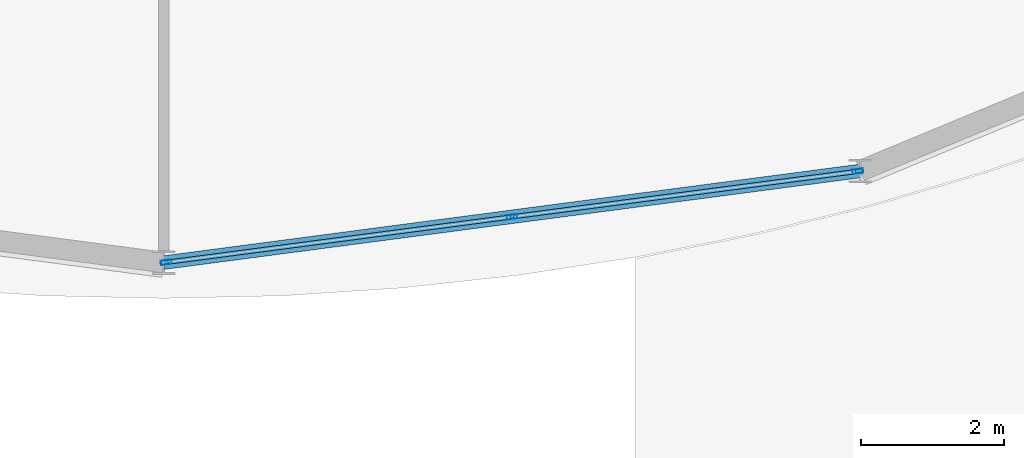
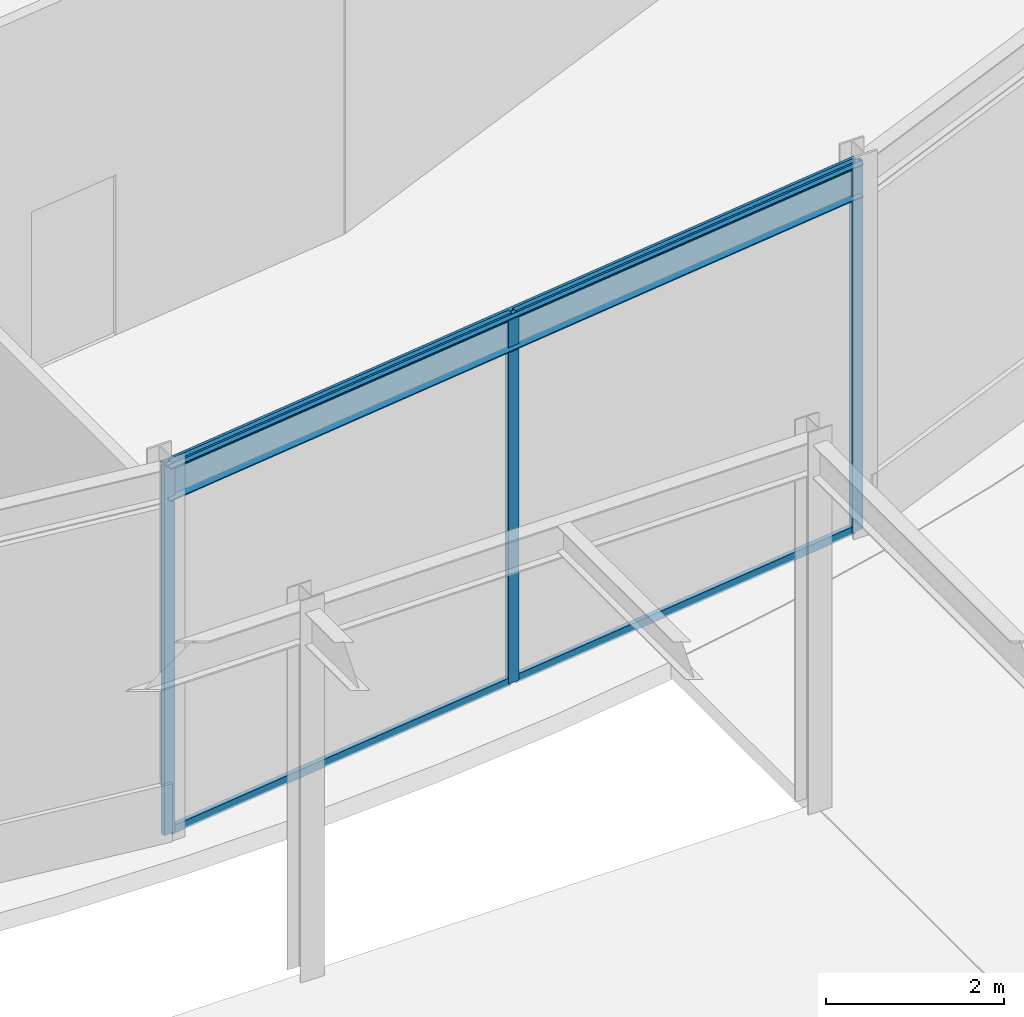
# One storey, part 43 of 168: 7 members, 1 beam, 1 element without a shape of its own.
"""IFC4 building model written with IfcOpenShell, lengths in metres."""

from ifc_helpers import new_model, si_unit, direction, frame, origin, origin_2d, place, context, subcontext, project, spatial, hollow_rectangle, i_section, extrude, material, material_profile, profile_set, type_object, element, aggregate, save


model = new_model("IFC4")

# Units and contexts
model_context = context("Model", 3, precision=1e-05, world=origin(), true_north=direction((0.0, 1.0)))
body_context = subcontext(model_context, "Body", "Model", "MODEL_VIEW")
ifc_project = project(units=[si_unit("LENGTHUNIT", "METRE"), si_unit("AREAUNIT", "SQUARE_METRE"), si_unit("VOLUMEUNIT", "CUBIC_METRE"), si_unit("PLANEANGLEUNIT", "RADIAN"), si_unit("MASSUNIT", "GRAM", prefix="KILO")], contexts=[model_context])

# Site, building, storey
site_placement = place(None, origin())
site = spatial("IfcSite", under=ifc_project, at=site_placement, CompositionType="ELEMENT")
building_placement = place(site_placement, origin())
building = spatial("IfcBuilding", under=site, at=building_placement, Name="Almandine Court Research Institute", CompositionType="ELEMENT")
storey_placement = place(building_placement, origin())
storey = spatial("IfcBuildingStorey", under=building, at=storey_placement, Name="L00", CompositionType="ELEMENT", Elevation=0.0)

# Beam
ifc_material_1 = material(Name="Steel ASTM A992 Grade 50", Category="steel")
ifc_material_profile_1 = material_profile(ifc_material_1, i_section(OverallWidth=0.18994140625, OverallDepth=0.45703125, WebThickness=0.009033203125, FlangeThickness=0.014892578125, at=origin_2d()), Name="W460x74")
ifc_profile_set_1 = profile_set([ifc_material_profile_1], Name="Steel ASTM A992 Grade 50")
beam_type = type_object("IfcBeamType", Name="Beam-B-01", PredefinedType="BEAM", material=ifc_profile_set_1)
beam_placement = place(storey_placement, frame((87.0, 18.35009765625, 4.841064453125), z_axis=(0.991444993461, 0.130525188913, 0.0), x_axis=(-0.130525188913, 0.991444993461, 0.0)))
element("IfcBeam", 1, at=beam_placement, inside=storey, type_object=beam_type, Name="L00 Atrium Outer Ring Beam", PredefinedType="BEAM", context=body_context, shape_type="SweptSolid", body=[
    extrude(i_section(OverallWidth=0.18994140625, OverallDepth=0.45703125, WebThickness=0.009033203125, FlangeThickness=0.014892578125, at=origin_2d()), origin(), (0.0, 0.0, 1.0), 9.8291015625),
])

# Curtain wall, members
ifc_material_2 = material(Name="Unitised Curtain Wall Framing and Solar Glazing", Category="glass")
curtain_wall_type = type_object("IfcCurtainWallType", Name="CW-CWG-23", PredefinedType="USERDEFINED", material=ifc_material_2)
curtain_wall_placement = place(storey_placement, origin())
curtain_wall = element("IfcCurtainWall", 2, at=curtain_wall_placement, inside=storey, type_object=curtain_wall_type, Name="L00 Interaction Atrium Perimeter Curtain Wall 18", ObjectType="UNITISED GLAZING", PredefinedType="USERDEFINED")
ifc_material_3 = material(Name="Anodised Aluminium AW-6063-T6", Category="aluminium")
ifc_material_profile_2 = material_profile(ifc_material_3, hollow_rectangle(XDim=0.06005859375, YDim=0.14990234375, WallThickness=0.00390625, at=origin_2d()), Name="ALU RHS 60x150x4")
ifc_profile_set_2 = profile_set([ifc_material_profile_2], Name="Anodised Aluminium AW-6063-T6")
member_type_1 = type_object("IfcMemberType", Name="CWMul-60x150", PredefinedType="MULLION", material=ifc_profile_set_2)
member_1_placement = place(storey_placement, frame((96.711181640625, 19.628173828125, 0.0), z_axis=(0.0, 0.0, 1.0), x_axis=(0.130536164028, -0.991443548509, 0.0)))
member_1 = element("IfcMember", 3, at=member_1_placement, type_object=member_type_1, Name="CWG-23 mullion 1", PredefinedType="MULLION", context=body_context, shape_type="SweptSolid", body=[
    extrude(hollow_rectangle(XDim=0.06005859375, YDim=0.14990234375, WallThickness=0.00390625, at=origin_2d()), origin(), (0.0, 0.0, 1.0), 5.070068359375),
])
member_2_placement = place(storey_placement, frame((91.87255859375, 18.990966796875, 0.0), z_axis=(0.0, 0.0, 1.0), x_axis=(0.130536164028, -0.991443548509, 0.0)))
member_2 = element("IfcMember", 4, at=member_2_placement, type_object=member_type_1, Name="CWG-23 mullion 2", PredefinedType="MULLION", context=body_context, shape_type="SweptSolid", body=[
    extrude(hollow_rectangle(XDim=0.06005859375, YDim=0.14990234375, WallThickness=0.00390625, at=origin_2d()), origin(), (0.0, 0.0, 1.0), 5.070068359375),
])
member_3_placement = place(storey_placement, frame((87.03369140625, 18.35400390625, 0.0), z_axis=(0.0, 0.0, 1.0), x_axis=(0.130536164028, -0.991443548509, 0.0)))
member_3 = element("IfcMember", 5, at=member_3_placement, type_object=member_type_1, Name="CWG-23 mullion 3", PredefinedType="MULLION", context=body_context, shape_type="SweptSolid", body=[
    extrude(hollow_rectangle(XDim=0.06005859375, YDim=0.14990234375, WallThickness=0.00390625, at=origin_2d()), origin(), (0.0, 0.0, 1.0), 5.070068359375),
])
ifc_material_profile_3 = material_profile(ifc_material_3, hollow_rectangle(XDim=0.06005859375, YDim=0.110107421875, WallThickness=0.00390625, at=origin_2d()), Name="ALU RHS 60x110x4")
ifc_profile_set_3 = profile_set([ifc_material_profile_3], Name="Anodised Aluminium AW-6063-T6")
member_type_2 = type_object("IfcMemberType", Name="CWTrn-60x110", PredefinedType="NOTDEFINED", material=ifc_profile_set_3)
member_4_placement = place(storey_placement, frame((96.681396484375, 19.624267578125, 0.030029296875), z_axis=(-0.991438945963, -0.130571116357, 0.0), x_axis=(0.130571116357, -0.991438945963, 0.0)))
member_4 = element("IfcMember", 6, at=member_4_placement, type_object=member_type_2, Name="CWG-23 transom 1.1", ObjectType="TRANSOM", PredefinedType="USERDEFINED", context=body_context, shape_type="SweptSolid", body=[
    extrude(hollow_rectangle(XDim=0.06005859375, YDim=0.110107421875, WallThickness=0.00390625, at=origin_2d()), origin(), (0.0, 0.0, 1.0), 4.8203125),
])
member_5_placement = place(storey_placement, frame((96.681396484375, 19.624267578125, 5.0400390625), z_axis=(-0.991438945963, -0.130571116357, 0.0), x_axis=(0.130571116357, -0.991438945963, 0.0)))
member_5 = element("IfcMember", 7, at=member_5_placement, type_object=member_type_2, Name="CWG-23 transom 1.2", ObjectType="TRANSOM", PredefinedType="USERDEFINED", context=body_context, shape_type="SweptSolid", body=[
    extrude(hollow_rectangle(XDim=0.06005859375, YDim=0.110107421875, WallThickness=0.00390625, at=origin_2d()), origin(), (0.0, 0.0, 1.0), 4.8203125),
])
member_6_placement = place(storey_placement, frame((91.8427734375, 18.987060546875, 0.030029296875), z_axis=(-0.99144636411, -0.130514777294, 0.0), x_axis=(0.130514777294, -0.99144636411, 0.0)))
member_6 = element("IfcMember", 8, at=member_6_placement, type_object=member_type_2, Name="CWG-23 transom 2.1", ObjectType="TRANSOM", PredefinedType="USERDEFINED", context=body_context, shape_type="SweptSolid", body=[
    extrude(hollow_rectangle(XDim=0.06005859375, YDim=0.110107421875, WallThickness=0.00390625, at=origin_2d()), origin(), (0.0, 0.0, 1.0), 4.820556640625),
])
member_7_placement = place(storey_placement, frame((91.8427734375, 18.987060546875, 5.0400390625), z_axis=(-0.99144636411, -0.130514777294, 0.0), x_axis=(0.130514777294, -0.99144636411, 0.0)))
member_7 = element("IfcMember", 9, at=member_7_placement, type_object=member_type_2, Name="CWG-23 transom 2.2", ObjectType="TRANSOM", PredefinedType="USERDEFINED", context=body_context, shape_type="SweptSolid", body=[
    extrude(hollow_rectangle(XDim=0.06005859375, YDim=0.110107421875, WallThickness=0.00390625, at=origin_2d()), origin(), (0.0, 0.0, 1.0), 4.820556640625),
])
aggregate(curtain_wall, [member_1, member_2, member_3, member_4, member_5, member_6, member_7])

save(model, "model.ifc")
